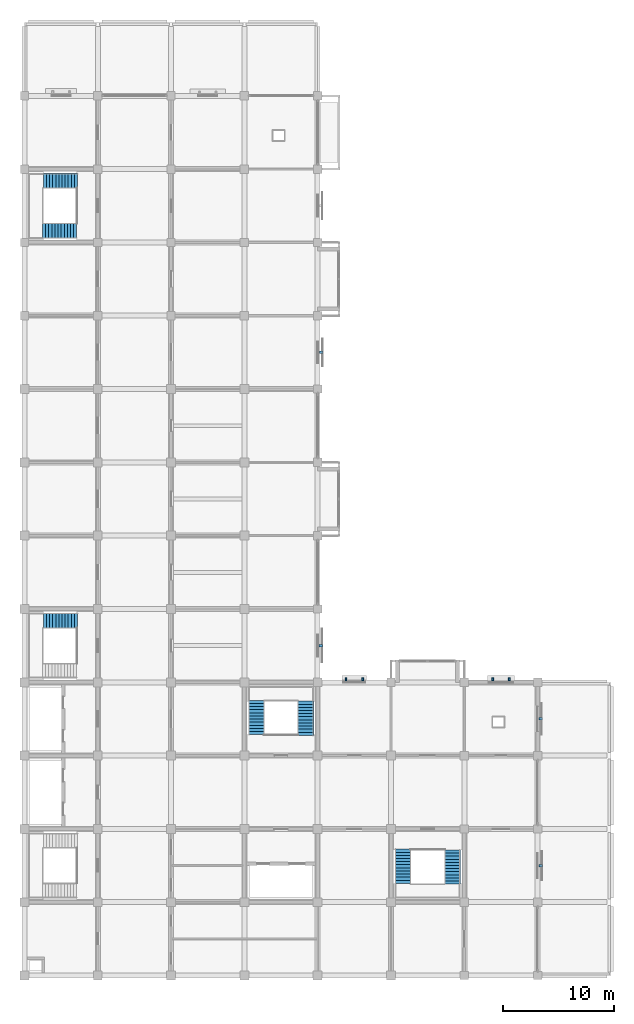
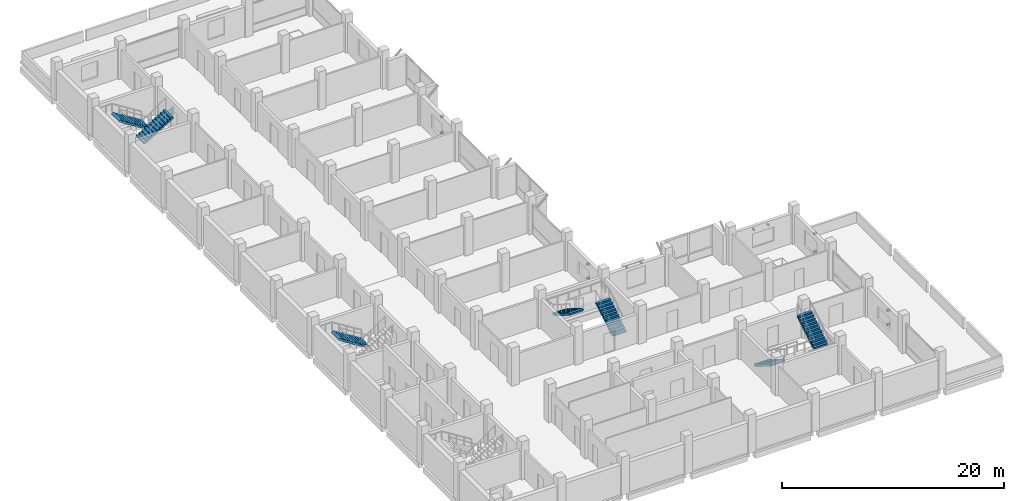
# One storey, part 12 of 15: 12 discrete accessories, 7 stair flights, 4 elements without a shape of their own.
"""IFC4 building model written with IfcOpenShell, lengths in metres."""

from ifc_helpers import new_model, si_unit, direction, frame, origin, origin_2d, place, context, subcontext, project, spatial, polyline, rectangle, outline, extrude, material, type_object, element, aggregate, save


model = new_model("IFC4")

# Units and contexts
model_context = context("Model", 3, precision=1e-05, world=origin(), true_north=direction((0.0, 1.0)))
body_context = subcontext(model_context, "Body", "Model", "MODEL_VIEW")
ifc_project = project(units=[si_unit("LENGTHUNIT", "METRE"), si_unit("AREAUNIT", "SQUARE_METRE"), si_unit("VOLUMEUNIT", "CUBIC_METRE"), si_unit("PLANEANGLEUNIT", "RADIAN"), si_unit("MASSUNIT", "GRAM", prefix="KILO")], contexts=[model_context])

# Site, building, storey
site_placement = place(None, origin())
site = spatial("IfcSite", under=ifc_project, at=site_placement, CompositionType="ELEMENT")
building_placement = place(site_placement, origin())
building = spatial("IfcBuilding", under=site, at=building_placement, Name="Rusizi Kubbe Research Institute", CompositionType="ELEMENT")
storey_placement = place(building_placement, frame((0.0, 0.0, 27.0)))
storey = spatial("IfcBuildingStorey", under=building, at=storey_placement, Name="L06", CompositionType="ELEMENT", Elevation=27.0)

# Stair, stair flight
ifc_material_1 = material(Name="Concrete C40/50", Category="concrete")
stair_type_1 = type_object("IfcStairType", Name="ST-H420A", PredefinedType="HALF_TURN_STAIR", material=ifc_material_1)
stair_1_placement = place(storey_placement, origin())
stair_1 = element("IfcStair", 1, at=stair_1_placement, inside=storey, type_object=stair_type_1, Name="Protected Exit Stair ST2 (L06)", PredefinedType="HALF_TURN_STAIR")
ifc_material_2 = material(Name="Concrete C40/50", Category="concrete")
stair_flight_type_1 = type_object("IfcStairFlightType", Name="FL-H420A", PredefinedType="STRAIGHT", material=ifc_material_2)
stair_flight_1_placement = place(storey_placement, frame((4.780029296875, 31.949951171875, 0.0), z_axis=(0.0, 0.0, 1.0), x_axis=(-1.0, 0.0, 0.0)))
stair_flight_1 = element("IfcStairFlight", 2, at=stair_flight_1_placement, type_object=stair_flight_type_1, Name="ST2 flight 1", NumberOfRisers=12, NumberOfTreads=11, PredefinedType="STRAIGHT", RiserHeight=0.175, TreadLength=0.28, context=body_context, shape_type="SweptSolid", body=[
    extrude(outline(polyline([(0.0, 0.0), (0.0, 0.175048828125), (0.280029296875, 0.175048828125), (0.280029296875, 0.35009765625), (0.56005859375, 0.35009765625), (0.56005859375, 0.52490234375), (0.840087890625, 0.52490234375), (0.840087890625, 0.699951171875), (1.1201171875, 0.699951171875), (1.1201171875, 0.875), (1.39990234375, 0.875), (1.39990234375, 1.050048828125), (1.679931640625, 1.050048828125), (1.679931640625, 1.22509765625), (1.9599609375, 1.22509765625), (1.9599609375, 1.39990234375), (2.239990234375, 1.39990234375), (2.239990234375, 1.574951171875), (2.52001953125, 1.574951171875), (2.52001953125, 1.75), (2.800048828125, 1.75), (2.800048828125, 1.925048828125), (3.080078125, 1.925048828125), (3.080078125, 2.10009765625), (3.080078125, 1.736328125), (0.3017578125, 0.0), (0.0, 0.0)])), frame((0.0, 0.699951171875, 0.0), z_axis=(0.0, -1.0, 0.0), x_axis=(1.0, 0.0, 0.0)), (0.0, 0.0, 1.0), 1.39990234375),
])
aggregate(stair_1, [stair_flight_1])

# Stair, stair flights
stair_2_placement = place(storey_placement, origin())
stair_2 = element("IfcStair", 3, at=stair_2_placement, inside=storey, type_object=stair_type_1, Name="Protected Exit Stair ST5 (L06)", PredefinedType="HALF_TURN_STAIR")
stair_flight_2_placement = place(storey_placement, frame((4.780029296875, 71.550048828125, 0.0), z_axis=(0.0, 0.0, 1.0), x_axis=(-1.0, 0.0, 0.0)))
stair_flight_2 = element("IfcStairFlight", 4, at=stair_flight_2_placement, type_object=stair_flight_type_1, Name="ST5 flight 1", NumberOfRisers=12, NumberOfTreads=11, PredefinedType="STRAIGHT", RiserHeight=0.175, TreadLength=0.28, context=body_context, shape_type="SweptSolid", body=[
    extrude(outline(polyline([(0.0, 0.0), (0.0, 0.175048828125), (0.280029296875, 0.175048828125), (0.280029296875, 0.35009765625), (0.56005859375, 0.35009765625), (0.56005859375, 0.52490234375), (0.840087890625, 0.52490234375), (0.840087890625, 0.699951171875), (1.1201171875, 0.699951171875), (1.1201171875, 0.875), (1.39990234375, 0.875), (1.39990234375, 1.050048828125), (1.679931640625, 1.050048828125), (1.679931640625, 1.22509765625), (1.9599609375, 1.22509765625), (1.9599609375, 1.39990234375), (2.239990234375, 1.39990234375), (2.239990234375, 1.574951171875), (2.52001953125, 1.574951171875), (2.52001953125, 1.75), (2.800048828125, 1.75), (2.800048828125, 1.925048828125), (3.080078125, 1.925048828125), (3.080078125, 2.10009765625), (3.080078125, 1.736328125), (0.3017578125, 0.0), (0.0, 0.0)])), frame((0.0, 0.699951171875, 0.0), z_axis=(0.0, -1.0, 0.0), x_axis=(1.0, 0.0, 0.0)), (0.0, 0.0, 1.0), 1.39990234375),
])
stair_flight_3_placement = place(storey_placement, frame((1.6259765625, 67.050048828125, 2.10009765625), z_axis=(0.0, 0.0, 1.0), x_axis=(1.0, 0.0, 0.0)))
stair_flight_3 = element("IfcStairFlight", 5, at=stair_flight_3_placement, type_object=stair_flight_type_1, Name="ST5 flight 2", NumberOfRisers=12, NumberOfTreads=11, PredefinedType="STRAIGHT", RiserHeight=0.175, TreadLength=0.28, context=body_context, shape_type="SweptSolid", body=[
    extrude(outline(polyline([(0.0, 0.0), (0.0, 0.175048828125), (0.280029296875, 0.175048828125), (0.280029296875, 0.35009765625), (0.56005859375, 0.35009765625), (0.56005859375, 0.52490234375), (0.840087890625, 0.52490234375), (0.840087890625, 0.699951171875), (1.1201171875, 0.699951171875), (1.1201171875, 0.875), (1.39990234375, 0.875), (1.39990234375, 1.050048828125), (1.679931640625, 1.050048828125), (1.679931640625, 1.22509765625), (1.9599609375, 1.22509765625), (1.9599609375, 1.39990234375), (2.239990234375, 1.39990234375), (2.239990234375, 1.574951171875), (2.52001953125, 1.574951171875), (2.52001953125, 1.75), (2.800048828125, 1.75), (2.800048828125, 1.925048828125), (3.080078125, 1.925048828125), (3.080078125, 2.10009765625), (3.080078125, 1.736328125), (0.3017578125, 0.0), (0.0, 0.0)])), frame((0.0, 0.699951171875, 0.0), z_axis=(0.0, -1.0, 0.0), x_axis=(1.0, 0.0, 0.0)), (0.0, 0.0, 1.0), 1.39990234375),
])
aggregate(stair_2, [stair_flight_2, stair_flight_3])

ifc_material_3 = material(Name="Concrete C40/50", Category="concrete")
stair_type_2 = type_object("IfcStairType", Name="ST-H420B", PredefinedType="HALF_TURN_STAIR", material=ifc_material_3)
stair_3_placement = place(storey_placement, origin())
stair_3 = element("IfcStair", 6, at=stair_3_placement, inside=storey, type_object=stair_type_2, Name="Protected Exit Stair ST3 (L06)", PredefinedType="HALF_TURN_STAIR")
ifc_material_4 = material(Name="Concrete C40/50", Category="concrete")
stair_flight_type_2 = type_object("IfcStairFlightType", Name="FL-H420B", PredefinedType="STRAIGHT", material=ifc_material_4)
stair_flight_4_placement = place(storey_placement, frame((25.324951171875, 21.6201171875, 0.0), z_axis=(0.0, 0.0, 1.0), x_axis=(0.0, 1.0, 0.0)))
stair_flight_4 = element("IfcStairFlight", 7, at=stair_flight_4_placement, type_object=stair_flight_type_2, Name="ST3 flight 1", NumberOfRisers=12, NumberOfTreads=11, PredefinedType="STRAIGHT", RiserHeight=0.175, TreadLength=0.28, context=body_context, shape_type="SweptSolid", body=[
    extrude(outline(polyline([(0.0, 0.0), (0.0, 0.175048828125), (0.280029296875, 0.175048828125), (0.280029296875, 0.35009765625), (0.56005859375, 0.35009765625), (0.56005859375, 0.52490234375), (0.840087890625, 0.52490234375), (0.840087890625, 0.699951171875), (1.1201171875, 0.699951171875), (1.1201171875, 0.875), (1.39990234375, 0.875), (1.39990234375, 1.050048828125), (1.679931640625, 1.050048828125), (1.679931640625, 1.22509765625), (1.9599609375, 1.22509765625), (1.9599609375, 1.39990234375), (2.239990234375, 1.39990234375), (2.239990234375, 1.574951171875), (2.52001953125, 1.574951171875), (2.52001953125, 1.75), (2.800048828125, 1.75), (2.800048828125, 1.925048828125), (3.080078125, 1.925048828125), (3.080078125, 2.10009765625), (3.080078125, 1.736328125), (0.3017578125, 0.0), (0.0, 0.0)])), frame((0.0, 0.72509765625, 0.0), z_axis=(0.0, -1.0, 0.0), x_axis=(1.0, 0.0, 0.0)), (0.0, 0.0, 1.0), 1.449951171875),
])
stair_flight_5_placement = place(storey_placement, frame((20.875, 24.77392578125, 2.10009765625), z_axis=(0.0, 0.0, 1.0), x_axis=(0.0, -1.0, 0.0)))
stair_flight_5 = element("IfcStairFlight", 8, at=stair_flight_5_placement, type_object=stair_flight_type_2, Name="ST3 flight 2", NumberOfRisers=12, NumberOfTreads=11, PredefinedType="STRAIGHT", RiserHeight=0.175, TreadLength=0.28, context=body_context, shape_type="SweptSolid", body=[
    extrude(outline(polyline([(0.0, 0.0), (0.0, 0.175048828125), (0.280029296875, 0.175048828125), (0.280029296875, 0.35009765625), (0.56005859375, 0.35009765625), (0.56005859375, 0.52490234375), (0.840087890625, 0.52490234375), (0.840087890625, 0.699951171875), (1.1201171875, 0.699951171875), (1.1201171875, 0.875), (1.39990234375, 0.875), (1.39990234375, 1.050048828125), (1.679931640625, 1.050048828125), (1.679931640625, 1.22509765625), (1.9599609375, 1.22509765625), (1.9599609375, 1.39990234375), (2.239990234375, 1.39990234375), (2.239990234375, 1.574951171875), (2.52001953125, 1.574951171875), (2.52001953125, 1.75), (2.800048828125, 1.75), (2.800048828125, 1.925048828125), (3.080078125, 1.925048828125), (3.080078125, 2.10009765625), (3.080078125, 1.736328125), (0.3017578125, 0.0), (0.0, 0.0)])), frame((0.0, 0.72509765625, 0.0), z_axis=(0.0, -1.0, 0.0), x_axis=(1.0, 0.0, 0.0)), (0.0, 0.0, 1.0), 1.449951171875),
])
aggregate(stair_3, [stair_flight_4, stair_flight_5])

stair_4_placement = place(storey_placement, origin())
stair_4 = element("IfcStair", 9, at=stair_4_placement, inside=storey, type_object=stair_type_2, Name="Protected Exit Stair ST4 (L06)", PredefinedType="HALF_TURN_STAIR")
stair_flight_6_placement = place(storey_placement, frame((34.074951171875, 11.3798828125, 0.0), z_axis=(0.0, 0.0, 1.0), x_axis=(0.0, -1.0, 0.0)))
stair_flight_6 = element("IfcStairFlight", 10, at=stair_flight_6_placement, type_object=stair_flight_type_2, Name="ST4 flight 1", NumberOfRisers=12, NumberOfTreads=11, PredefinedType="STRAIGHT", RiserHeight=0.175, TreadLength=0.28, context=body_context, shape_type="SweptSolid", body=[
    extrude(outline(polyline([(0.0, 0.0), (0.0, 0.175048828125), (0.280029296875, 0.175048828125), (0.280029296875, 0.35009765625), (0.56005859375, 0.35009765625), (0.56005859375, 0.52490234375), (0.840087890625, 0.52490234375), (0.840087890625, 0.699951171875), (1.1201171875, 0.699951171875), (1.1201171875, 0.875), (1.39990234375, 0.875), (1.39990234375, 1.050048828125), (1.679931640625, 1.050048828125), (1.679931640625, 1.22509765625), (1.9599609375, 1.22509765625), (1.9599609375, 1.39990234375), (2.239990234375, 1.39990234375), (2.239990234375, 1.574951171875), (2.52001953125, 1.574951171875), (2.52001953125, 1.75), (2.800048828125, 1.75), (2.800048828125, 1.925048828125), (3.080078125, 1.925048828125), (3.080078125, 2.10009765625), (3.080078125, 1.736328125), (0.3017578125, 0.0), (0.0, 0.0)])), frame((0.0, 0.72509765625, 0.0), z_axis=(0.0, -1.0, 0.0), x_axis=(1.0, 0.0, 0.0)), (0.0, 0.0, 1.0), 1.449951171875),
])
stair_flight_7_placement = place(storey_placement, frame((38.52490234375, 8.22607421875, 2.10009765625), z_axis=(0.0, 0.0, 1.0), x_axis=(0.0, 1.0, 0.0)))
stair_flight_7 = element("IfcStairFlight", 11, at=stair_flight_7_placement, type_object=stair_flight_type_2, Name="ST4 flight 2", NumberOfRisers=12, NumberOfTreads=11, PredefinedType="STRAIGHT", RiserHeight=0.175, TreadLength=0.28, context=body_context, shape_type="SweptSolid", body=[
    extrude(outline(polyline([(0.0, 0.0), (0.0, 0.175048828125), (0.280029296875, 0.175048828125), (0.280029296875, 0.35009765625), (0.56005859375, 0.35009765625), (0.56005859375, 0.52490234375), (0.840087890625, 0.52490234375), (0.840087890625, 0.699951171875), (1.1201171875, 0.699951171875), (1.1201171875, 0.875), (1.39990234375, 0.875), (1.39990234375, 1.050048828125), (1.679931640625, 1.050048828125), (1.679931640625, 1.22509765625), (1.9599609375, 1.22509765625), (1.9599609375, 1.39990234375), (2.239990234375, 1.39990234375), (2.239990234375, 1.574951171875), (2.52001953125, 1.574951171875), (2.52001953125, 1.75), (2.800048828125, 1.75), (2.800048828125, 1.925048828125), (3.080078125, 1.925048828125), (3.080078125, 2.10009765625), (3.080078125, 1.736328125), (0.3017578125, 0.0), (0.0, 0.0)])), frame((0.0, 0.72509765625, 0.0), z_axis=(0.0, -1.0, 0.0), x_axis=(1.0, 0.0, 0.0)), (0.0, 0.0, 1.0), 1.449951171875),
])
aggregate(stair_4, [stair_flight_6, stair_flight_7])

# Discrete accessories
ifc_material_5 = material(Name="Steel S355", Category="steel")
discrete_accessory_type_1 = type_object("IfcDiscreteAccessoryType", Name="BK-01", PredefinedType="BRACKET", material=ifc_material_5)
for number, where, z_axis, x_axis, name in (
    (12, (26.6875, 29.699951171875, 0.740234375), (0.0, 0.0, 1.0), (1.0, 0.0, 0.0), "Solar Screen Bracket 52-1"),
    (13, (26.6875, 29.699951171875, 2.2802734375), (0.0, 0.0, 1.0), (1.0, 0.0, 0.0), "Solar Screen Bracket 52-2"),
    (14, (26.719970703125, 56.10009765625, 0.740234375), (0.0, 0.0, 1.0), (1.0, 0.0, 0.0), "Solar Screen Bracket 53-1"),
    (15, (26.719970703125, 56.10009765625, 2.5), (0.0, 0.0, 1.0), (1.0, 0.0, 0.0), "Solar Screen Bracket 53-2"),
    (16, (46.487548828125, 9.89990234375, 0.740234375), (0.0, 0.0, 1.0), (1.0, 0.0, 0.0), "Solar Screen Bracket 55-1"),
    (17, (46.487548828125, 9.89990234375, 2.2802734375), (0.0, 0.0, 1.0), (1.0, 0.0, 0.0), "Solar Screen Bracket 55-2"),
    (18, (46.472412109375, 23.10009765625, 0.740234375), (0.0, 0.0, 1.0), (1.0, 0.0, 0.0), "Solar Screen Bracket 56-1"),
    (19, (46.472412109375, 23.10009765625, 2.72021484375), (0.0, 0.0, 1.0), (1.0, 0.0, 0.0), "Solar Screen Bracket 56-2"),
):
    element("IfcDiscreteAccessory", number, at=place(storey_placement, frame(where, z_axis=z_axis, x_axis=x_axis)), inside=storey, type_object=discrete_accessory_type_1, Name=name, PredefinedType="BRACKET", context=body_context, shape_type="SweptSolid", body=[
        extrude(rectangle(XDim=0.300048828125, YDim=0.219970703125, at=origin_2d()), origin(), (0.0, 0.0, 1.0), 0.179931640625),
    ])
ifc_material_6 = material(Name="Steel S355", Category="steel")
discrete_accessory_type_2 = type_object("IfcDiscreteAccessoryType", Name="BK-02", PredefinedType="BRACKET", material=ifc_material_6)
for number, where, z_axis, x_axis, name in (
    (20, (28.949951171875, 26.677490234375, 2.9599609375), (0.0, 0.0, 1.0), (1.0, 0.0, 0.0), "Louver Canopy Bracket 39-1"),
    (21, (30.449951171875, 26.677490234375, 2.9599609375), (0.0, 0.0, 1.0), (1.0, 0.0, 0.0), "Louver Canopy Bracket 39-2"),
    (22, (42.14990234375, 26.66259765625, 2.52001953125), (0.0, 0.0, 1.0), (1.0, 0.0, 0.0), "Louver Canopy Bracket 40-1"),
    (23, (43.64990234375, 26.66259765625, 2.52001953125), (0.0, 0.0, 1.0), (1.0, 0.0, 0.0), "Louver Canopy Bracket 40-2"),
):
    element("IfcDiscreteAccessory", number, at=place(storey_placement, frame(where, z_axis=z_axis, x_axis=x_axis)), inside=storey, type_object=discrete_accessory_type_2, Name=name, PredefinedType="BRACKET", context=body_context, shape_type="SweptSolid", body=[
        extrude(rectangle(XDim=0.159912109375, YDim=0.280029296875, at=origin_2d()), origin(), (0.0, 0.0, 1.0), 0.179931640625),
    ])

save(model, "model.ifc")
